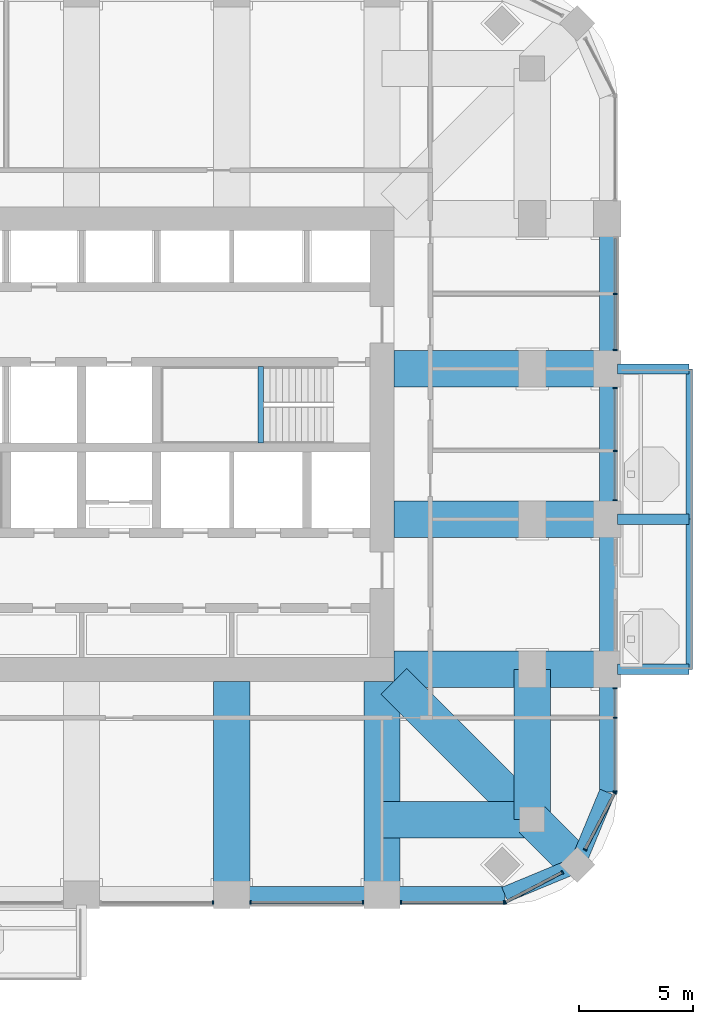
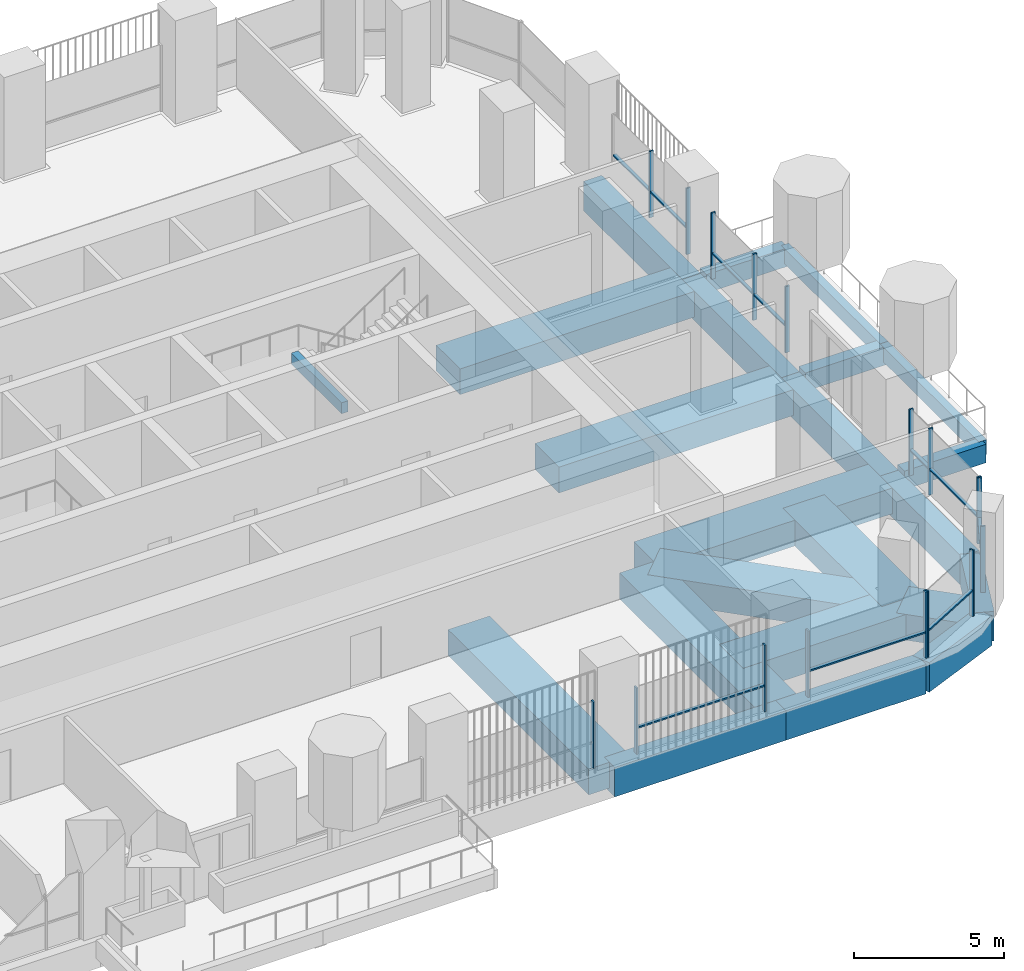
# One storey, part 5 of 20: 27 members, 23 beams, 8 elements without a shape of their own.
"""IFC4 building model written with IfcOpenShell, lengths in metres."""

from ifc_helpers import new_model, si_unit, direction, frame, origin, origin_2d, place, context, subcontext, project, spatial, rectangle, extrude, material, material_profile, profile_set, type_object, element, aggregate, save


model = new_model("IFC4")

# Units and contexts
model_context = context("Model", 3, precision=1e-05, world=origin(), true_north=direction((0.0, 1.0)))
body_context = subcontext(model_context, "Body", "Model", "MODEL_VIEW")
ifc_project = project(units=[si_unit("LENGTHUNIT", "METRE"), si_unit("AREAUNIT", "SQUARE_METRE"), si_unit("VOLUMEUNIT", "CUBIC_METRE"), si_unit("PLANEANGLEUNIT", "RADIAN"), si_unit("MASSUNIT", "GRAM", prefix="KILO")], contexts=[model_context])

# Site, building, storey
site_placement = place(None, origin())
site = spatial("IfcSite", under=ifc_project, at=site_placement, CompositionType="ELEMENT")
building_placement = place(site_placement, origin())
building = spatial("IfcBuilding", under=site, at=building_placement, Name="Cobogo Forest Laboratory Tower", CompositionType="ELEMENT")
storey_placement = place(building_placement, frame((0.0, 0.0, 201.89990234375)))
storey = spatial("IfcBuildingStorey", under=building, at=storey_placement, Name="L46", CompositionType="ELEMENT", Elevation=201.89990234375)

# Beams
ifc_material_1 = material(Name="Concrete HA-40 (C40/50)", Category="concrete")
ifc_material_profile_1 = material_profile(ifc_material_1, rectangle(XDim=0.449951171875, YDim=0.75, at=origin_2d()), Name="RC 450x750")
ifc_profile_set_1 = profile_set([ifc_material_profile_1], Name="Concrete HA-40 (C40/50)")
beam_type_1 = type_object("IfcBeamType", Name="Balcony cantilever beam 450x750", PredefinedType="BEAM", material=ifc_profile_set_1)
for number, where, z_axis, x_axis, name in (
    (1, (49.949951171875, 13.199951171875, -0.625), (1.0, 0.0, 0.0), (0.0, 1.0, 0.0), "CB1 BAL-E1-C1 L46"),
    (2, (49.949951171875, 19.800048828125, -0.625), (1.0, 0.0, 0.0), (0.0, 1.0, 0.0), "CB1 BAL-E1-C2 L46"),
    (3, (49.949951171875, 26.39990234375, -0.625), (1.0, 0.0, 0.0), (0.0, 1.0, 0.0), "CB1 BAL-E1-C3 L46"),
):
    element("IfcBeam", number, at=place(storey_placement, frame(where, z_axis=z_axis, x_axis=x_axis)), inside=storey, type_object=beam_type_1, Name=name, PredefinedType="BEAM", context=body_context, shape_type="SweptSolid", body=[
        extrude(rectangle(XDim=0.449951171875, YDim=0.75, at=origin_2d()), origin(), (0.0, 0.0, 1.0), 3.150146484375),
    ])
ifc_material_profile_2 = material_profile(ifc_material_1, rectangle(XDim=0.300048828125, YDim=0.60009765625, at=origin_2d()), Name="RC 300x600")
ifc_profile_set_2 = profile_set([ifc_material_profile_2], Name="Concrete HA-40 (C40/50)")
beam_type_2 = type_object("IfcBeamType", Name="Balcony edge beam 300x600", PredefinedType="BEAM", material=ifc_profile_set_2)
beam_1_placement = place(storey_placement, frame((53.10009765625, 13.199951171875, -0.5498046875), z_axis=(0.0, 1.0, 0.0), x_axis=(-1.0, 0.0, 0.0)))
element("IfcBeam", 4, at=beam_1_placement, inside=storey, type_object=beam_type_2, Name="BB1 BAL-E1-T1 L46", PredefinedType="BEAM", context=body_context, shape_type="SweptSolid", body=[
    extrude(rectangle(XDim=0.300048828125, YDim=0.60009765625, at=origin_2d()), origin(), (0.0, 0.0, 1.0), 6.60009765625),
])
beam_2_placement = place(storey_placement, frame((53.10009765625, 19.800048828125, -0.5498046875), z_axis=(0.0, 1.0, 0.0), x_axis=(-1.0, 0.0, 0.0)))
element("IfcBeam", 5, at=beam_2_placement, inside=storey, type_object=beam_type_2, Name="BB1 BAL-E1-T2 L46", PredefinedType="BEAM", context=body_context, shape_type="SweptSolid", body=[
    extrude(rectangle(XDim=0.300048828125, YDim=0.60009765625, at=origin_2d()), origin(), (0.0, 0.0, 1.0), 6.599853515625),
])
ifc_material_profile_3 = material_profile(ifc_material_1, rectangle(XDim=0.25, YDim=0.449951171875, at=origin_2d()), Name="RC 250x450")
ifc_profile_set_3 = profile_set([ifc_material_profile_3], Name="Concrete HA-40 (C40/50)")
beam_type_3 = type_object("IfcBeamType", Name="LB1 landing beam 250x450", PredefinedType="BEAM", material=ifc_profile_set_3)
beam_3_placement = place(storey_placement, frame((34.27001953125, 23.14990234375, 1.675048828125), z_axis=(0.0, 1.0, 0.0), x_axis=(-1.0, 0.0, 0.0)))
element("IfcBeam", 6, at=beam_3_placement, inside=storey, type_object=beam_type_3, Name="Landing beam ST2 L46", PredefinedType="BEAM", context=body_context, shape_type="SweptSolid", body=[
    extrude(rectangle(XDim=0.25, YDim=0.449951171875, at=origin_2d()), origin(), (0.0, 0.0, 1.0), 3.35009765625),
])
ifc_material_2 = material(Name="Concrete HA-50 (C50/60)", Category="concrete")
ifc_material_profile_4 = material_profile(ifc_material_2, rectangle(XDim=1.60009765625, YDim=1.050048828125, at=origin_2d()), Name="RC 1600x1050")
ifc_profile_set_4 = profile_set([ifc_material_profile_4], Name="Concrete HA-50 (C50/60)")
beam_type_4 = type_object("IfcBeamType", Name="Laboratory floor wide beam 1600x1050", PredefinedType="BEAM", material=ifc_profile_set_4)
for number, where, z_axis, x_axis, name in (
    (7, (33.0, 12.675048828125, -0.824951171875), (0.0, -1.0, 0.0), (1.0, 0.0, 0.0), "RB8 R-6-S L46"),
    (8, (39.60009765625, 12.675048828125, -0.824951171875), (0.0, -1.0, 0.0), (1.0, 0.0, 0.0), "RB8 R-7-S L46"),
    (9, (40.125, 13.199951171875, -0.824951171875), (1.0, 0.0, 0.0), (0.0, 1.0, 0.0), "RB8 R-C-E L46"),
    (10, (40.125, 19.800048828125, -0.824951171875), (1.0, 0.0, 0.0), (0.0, 1.0, 0.0), "RB8 R-D-E L46"),
    (11, (40.125, 26.39990234375, -0.824951171875), (1.0, 0.0, 0.0), (0.0, 1.0, 0.0), "RB8 R-E-E L46"),
):
    element("IfcBeam", number, at=place(storey_placement, frame(where, z_axis=z_axis, x_axis=x_axis)), inside=storey, type_object=beam_type_4, Name=name, PredefinedType="BEAM", context=body_context, shape_type="SweptSolid", body=[
        extrude(rectangle(XDim=1.60009765625, YDim=1.050048828125, at=origin_2d()), origin(), (0.0, 0.0, 1.0), 9.375),
    ])
for number, where, z_axis, x_axis, name in (
    (12, (46.199951171875, 6.60009765625, -0.824951171875), (0.0, 1.0, 0.0), (-1.0, 0.0, 0.0), "RB8 G-SE-XC L46"),
    (13, (46.199951171875, 6.60009765625, -0.824951171875), (-1.0, 0.0, 0.0), (0.0, -1.0, 0.0), "RB8 G-SE-YC L46"),
):
    element("IfcBeam", number, at=place(storey_placement, frame(where, z_axis=z_axis, x_axis=x_axis)), inside=storey, type_object=beam_type_4, Name=name, PredefinedType="BEAM", context=body_context, shape_type="SweptSolid", body=[
        extrude(rectangle(XDim=1.60009765625, YDim=1.050048828125, at=origin_2d()), origin(), (0.0, 0.0, 1.0), 6.599853515625),
    ])
beam_4_placement = place(storey_placement, frame((48.181884765625, 4.617919921875, -0.824951171875), z_axis=(-0.707063230743, 0.707150328948, 0.0), x_axis=(-0.707150328948, -0.707063230743, 0.0)))
element("IfcBeam", 14, at=beam_4_placement, inside=storey, type_object=beam_type_4, Name="RB8 G-SE-D1 L46", PredefinedType="BEAM", context=body_context, shape_type="SweptSolid", body=[
    extrude(rectangle(XDim=1.60009765625, YDim=1.050048828125, at=origin_2d()), origin(), (0.0, 0.0, 1.0), 2.802978515625),
])
beam_5_placement = place(storey_placement, frame((46.199951171875, 6.60009765625, -0.824951171875), z_axis=(-0.707106781187, 0.707106781187, 0.0), x_axis=(-0.707106781187, -0.707106781187, 0.0)))
element("IfcBeam", 15, at=beam_5_placement, inside=storey, type_object=beam_type_4, Name="RB8 G-SE-D2 L46", PredefinedType="BEAM", context=body_context, shape_type="SweptSolid", body=[
    extrude(rectangle(XDim=1.60009765625, YDim=1.050048828125, at=origin_2d()), origin(), (0.0, 0.0, 1.0), 8.59130859375),
])

# Curtain wall, member
ifc_material_3 = material(Name="Aluminium curtain wall", Category="aluminium")
curtain_wall_type = type_object("IfcCurtainWallType", Name="CW-2 unitised curtain wall, solar control glazing, laboratory floors zones C and D", PredefinedType="USERDEFINED", material=ifc_material_3)
curtain_wall_1_placement = place(storey_placement, origin())
curtain_wall_1 = element("IfcCurtainWall", 16, at=curtain_wall_1_placement, inside=storey, type_object=curtain_wall_type, Name="Curtain wall 04 L46", ObjectType="UNITISED CURTAIN WALL", PredefinedType="USERDEFINED")
ifc_material_4 = material(Name="Aluminium mullion", Category="aluminium")
ifc_material_profile_5 = material_profile(ifc_material_4, rectangle(XDim=0.06005859375, YDim=0.159912109375, at=origin_2d()), Name="AL 60x160")
ifc_profile_set_5 = profile_set([ifc_material_profile_5], Name="Aluminium mullion")
member_type_1 = type_object("IfcMemberType", Name="MU-1 aluminium mullion 60x160", PredefinedType="MULLION", material=ifc_profile_set_5)
member_1_placement = place(storey_placement, frame((32.169921875, 2.949951171875, 0.0), z_axis=(0.0, 0.0, 1.0), x_axis=(1.0, 0.0, 0.0)))
member_1 = element("IfcMember", 17, at=member_1_placement, type_object=member_type_1, Name="CW-2 mullion 2", PredefinedType="MULLION", context=body_context, shape_type="SweptSolid", body=[
    extrude(rectangle(XDim=0.06005859375, YDim=0.159912109375, at=origin_2d()), origin(), (0.0, 0.0, 1.0), 2.7001953125),
])
aggregate(curtain_wall_1, [member_1])

# Curtain wall, members
curtain_wall_2_placement = place(storey_placement, origin())
curtain_wall_2 = element("IfcCurtainWall", 18, at=curtain_wall_2_placement, inside=storey, type_object=curtain_wall_type, Name="Curtain wall 05 L46", ObjectType="UNITISED CURTAIN WALL", PredefinedType="USERDEFINED")
member_2_placement = place(storey_placement, frame((33.830078125, 2.949951171875, 0.0), z_axis=(0.0, 0.0, 1.0), x_axis=(1.0, 0.0, 0.0)))
member_2 = element("IfcMember", 19, at=member_2_placement, type_object=member_type_1, Name="CW-2 mullion 1", PredefinedType="MULLION", context=body_context, shape_type="SweptSolid", body=[
    extrude(rectangle(XDim=0.06005859375, YDim=0.159912109375, at=origin_2d()), origin(), (0.0, 0.0, 1.0), 2.7001953125),
])
member_3_placement = place(storey_placement, frame((38.77001953125, 2.949951171875, 0.0), z_axis=(0.0, 0.0, 1.0), x_axis=(1.0, 0.0, 0.0)))
member_3 = element("IfcMember", 20, at=member_3_placement, type_object=member_type_1, Name="CW-2 mullion 2", PredefinedType="MULLION", context=body_context, shape_type="SweptSolid", body=[
    extrude(rectangle(XDim=0.06005859375, YDim=0.159912109375, at=origin_2d()), origin(), (0.0, 0.0, 1.0), 2.7001953125),
])

curtain_wall_3_placement = place(storey_placement, origin())
curtain_wall_3 = element("IfcCurtainWall", 21, at=curtain_wall_3_placement, inside=storey, type_object=curtain_wall_type, Name="Curtain wall 06 L46", ObjectType="UNITISED CURTAIN WALL", PredefinedType="USERDEFINED")
member_4_placement = place(storey_placement, frame((40.429931640625, 2.949951171875, 0.0), z_axis=(0.0, 0.0, 1.0), x_axis=(1.0, 0.0, 0.0)))
member_4 = element("IfcMember", 22, at=member_4_placement, type_object=member_type_1, Name="CW-2 mullion 1", PredefinedType="MULLION", context=body_context, shape_type="SweptSolid", body=[
    extrude(rectangle(XDim=0.06005859375, YDim=0.159912109375, at=origin_2d()), origin(), (0.0, 0.0, 1.0), 2.7001953125),
])
member_5_placement = place(storey_placement, frame((44.969970703125, 2.949951171875, 0.0), z_axis=(0.0, 0.0, 1.0), x_axis=(1.0, 0.0, 0.0)))
member_5 = element("IfcMember", 23, at=member_5_placement, type_object=member_type_1, Name="CW-2 mullion 2", PredefinedType="MULLION", context=body_context, shape_type="SweptSolid", body=[
    extrude(rectangle(XDim=0.06005859375, YDim=0.159912109375, at=origin_2d()), origin(), (0.0, 0.0, 1.0), 2.7001953125),
])

curtain_wall_4_placement = place(storey_placement, origin())
curtain_wall_4 = element("IfcCurtainWall", 24, at=curtain_wall_4_placement, inside=storey, type_object=curtain_wall_type, Name="Curtain wall 07 L46", ObjectType="UNITISED CURTAIN WALL", PredefinedType="USERDEFINED")
member_6_placement = place(storey_placement, frame((45.026611328125, 2.9638671875, 0.0), z_axis=(0.0, 0.0, 1.0), x_axis=(0.885686484356, 0.464283804832, 0.0)))
member_6 = element("IfcMember", 25, at=member_6_placement, type_object=member_type_1, Name="CW-2 mullion 1", PredefinedType="MULLION", context=body_context, shape_type="SweptSolid", body=[
    extrude(rectangle(XDim=0.06005859375, YDim=0.159912109375, at=origin_2d()), origin(), (0.0, 0.0, 1.0), 2.7001953125),
])
member_7_placement = place(storey_placement, frame((47.5244140625, 4.2734375, 0.0), z_axis=(0.0, 0.0, 1.0), x_axis=(0.885686484356, 0.464283804832, 0.0)))
member_7 = element("IfcMember", 26, at=member_7_placement, type_object=member_type_1, Name="CW-2 mullion 2", PredefinedType="MULLION", context=body_context, shape_type="SweptSolid", body=[
    extrude(rectangle(XDim=0.06005859375, YDim=0.159912109375, at=origin_2d()), origin(), (0.0, 0.0, 1.0), 2.7001953125),
])

curtain_wall_5_placement = place(storey_placement, origin())
curtain_wall_5 = element("IfcCurtainWall", 27, at=curtain_wall_5_placement, inside=storey, type_object=curtain_wall_type, Name="Curtain wall 08 L46", ObjectType="UNITISED CURTAIN WALL", PredefinedType="USERDEFINED")
member_8_placement = place(storey_placement, frame((48.526611328125, 5.275634765625, 0.0), z_axis=(0.0, 0.0, 1.0), x_axis=(0.464283804832, 0.885686484356, 0.0)))
member_8 = element("IfcMember", 28, at=member_8_placement, type_object=member_type_1, Name="CW-2 mullion 1", PredefinedType="MULLION", context=body_context, shape_type="SweptSolid", body=[
    extrude(rectangle(XDim=0.06005859375, YDim=0.159912109375, at=origin_2d()), origin(), (0.0, 0.0, 1.0), 2.7001953125),
])
member_9_placement = place(storey_placement, frame((49.836181640625, 7.7734375, 0.0), z_axis=(0.0, 0.0, 1.0), x_axis=(0.464283804832, 0.885686484356, 0.0)))
member_9 = element("IfcMember", 29, at=member_9_placement, type_object=member_type_1, Name="CW-2 mullion 2", PredefinedType="MULLION", context=body_context, shape_type="SweptSolid", body=[
    extrude(rectangle(XDim=0.06005859375, YDim=0.159912109375, at=origin_2d()), origin(), (0.0, 0.0, 1.0), 2.7001953125),
])

curtain_wall_6_placement = place(storey_placement, origin())
curtain_wall_6 = element("IfcCurtainWall", 30, at=curtain_wall_6_placement, inside=storey, type_object=curtain_wall_type, Name="Curtain wall 09 L46", ObjectType="UNITISED CURTAIN WALL", PredefinedType="USERDEFINED")
member_10_placement = place(storey_placement, frame((49.85009765625, 7.830078125, 0.0), z_axis=(0.0, 0.0, 1.0), x_axis=(0.0, 1.0, 0.0)))
member_10 = element("IfcMember", 31, at=member_10_placement, type_object=member_type_1, Name="CW-2 mullion 1", PredefinedType="MULLION", context=body_context, shape_type="SweptSolid", body=[
    extrude(rectangle(XDim=0.06005859375, YDim=0.159912109375, at=origin_2d()), origin(), (0.0, 0.0, 1.0), 2.7001953125),
])
member_11_placement = place(storey_placement, frame((49.85009765625, 11.074951171875, 0.0), z_axis=(0.0, 0.0, 1.0), x_axis=(0.0, 1.0, 0.0)))
member_11 = element("IfcMember", 32, at=member_11_placement, type_object=member_type_1, Name="CW-2 mullion 2", PredefinedType="MULLION", context=body_context, shape_type="SweptSolid", body=[
    extrude(rectangle(XDim=0.06005859375, YDim=0.159912109375, at=origin_2d()), origin(), (0.0, 0.0, 1.0), 2.7001953125),
])
member_12_placement = place(storey_placement, frame((49.85009765625, 12.3701171875, 0.0), z_axis=(0.0, 0.0, 1.0), x_axis=(0.0, 1.0, 0.0)))
member_12 = element("IfcMember", 33, at=member_12_placement, type_object=member_type_1, Name="CW-2 mullion 3", PredefinedType="MULLION", context=body_context, shape_type="SweptSolid", body=[
    extrude(rectangle(XDim=0.06005859375, YDim=0.159912109375, at=origin_2d()), origin(), (0.0, 0.0, 1.0), 2.7001953125),
])

curtain_wall_7_placement = place(storey_placement, origin())
curtain_wall_7 = element("IfcCurtainWall", 34, at=curtain_wall_7_placement, inside=storey, type_object=curtain_wall_type, Name="Curtain wall 11 L46", ObjectType="UNITISED CURTAIN WALL", PredefinedType="USERDEFINED")
member_13_placement = place(storey_placement, frame((49.85009765625, 20.6298828125, 0.0), z_axis=(0.0, 0.0, 1.0), x_axis=(0.0, 1.0, 0.0)))
member_13 = element("IfcMember", 35, at=member_13_placement, type_object=member_type_1, Name="CW-2 mullion 1", PredefinedType="MULLION", context=body_context, shape_type="SweptSolid", body=[
    extrude(rectangle(XDim=0.06005859375, YDim=0.159912109375, at=origin_2d()), origin(), (0.0, 0.0, 1.0), 2.7001953125),
])
member_14_placement = place(storey_placement, frame((49.85009765625, 22.800048828125, 0.0), z_axis=(0.0, 0.0, 1.0), x_axis=(0.0, 1.0, 0.0)))
member_14 = element("IfcMember", 36, at=member_14_placement, type_object=member_type_1, Name="CW-2 mullion 2", PredefinedType="MULLION", context=body_context, shape_type="SweptSolid", body=[
    extrude(rectangle(XDim=0.06005859375, YDim=0.159912109375, at=origin_2d()), origin(), (0.0, 0.0, 1.0), 2.7001953125),
])
member_15_placement = place(storey_placement, frame((49.85009765625, 25.570068359375, 0.0), z_axis=(0.0, 0.0, 1.0), x_axis=(0.0, 1.0, 0.0)))
member_15 = element("IfcMember", 37, at=member_15_placement, type_object=member_type_1, Name="CW-2 mullion 3", PredefinedType="MULLION", context=body_context, shape_type="SweptSolid", body=[
    extrude(rectangle(XDim=0.06005859375, YDim=0.159912109375, at=origin_2d()), origin(), (0.0, 0.0, 1.0), 2.7001953125),
])

curtain_wall_8_placement = place(storey_placement, origin())
curtain_wall_8 = element("IfcCurtainWall", 38, at=curtain_wall_8_placement, inside=storey, type_object=curtain_wall_type, Name="Curtain wall 12 L46", ObjectType="UNITISED CURTAIN WALL", PredefinedType="USERDEFINED")
member_16_placement = place(storey_placement, frame((49.85009765625, 27.22998046875, 0.0), z_axis=(0.0, 0.0, 1.0), x_axis=(0.0, 1.0, 0.0)))
member_16 = element("IfcMember", 39, at=member_16_placement, type_object=member_type_1, Name="CW-2 mullion 1", PredefinedType="MULLION", context=body_context, shape_type="SweptSolid", body=[
    extrude(rectangle(XDim=0.06005859375, YDim=0.159912109375, at=origin_2d()), origin(), (0.0, 0.0, 1.0), 2.7001953125),
])
member_17_placement = place(storey_placement, frame((49.85009765625, 29.699951171875, 0.0), z_axis=(0.0, 0.0, 1.0), x_axis=(0.0, 1.0, 0.0)))
member_17 = element("IfcMember", 40, at=member_17_placement, type_object=member_type_1, Name="CW-2 mullion 2", PredefinedType="MULLION", context=body_context, shape_type="SweptSolid", body=[
    extrude(rectangle(XDim=0.06005859375, YDim=0.159912109375, at=origin_2d()), origin(), (0.0, 0.0, 1.0), 2.7001953125),
])

# Beams
ifc_material_profile_6 = material_profile(ifc_material_1, rectangle(XDim=0.699951171875, YDim=1.199951171875, at=origin_2d()), Name="RC 700x1200")
ifc_profile_set_6 = profile_set([ifc_material_profile_6], Name="Concrete HA-40 (C40/50)")
beam_type_5 = type_object("IfcBeamType", Name="Perimeter edge beam 700x1200", PredefinedType="BEAM", material=ifc_profile_set_6)
for number, where, z_axis, x_axis, name in (
    (41, (33.0, 3.300048828125, -0.89990234375), (1.0, 0.0, 0.0), (0.0, 1.0, 0.0), "EB1 E-S4 L46"),
    (42, (49.5, 13.199951171875, -0.89990234375), (0.0, 1.0, 0.0), (-1.0, 0.0, 0.0), "EB1 E-E1 L46"),
):
    element("IfcBeam", number, at=place(storey_placement, frame(where, z_axis=z_axis, x_axis=x_axis)), inside=storey, type_object=beam_type_5, Name=name, PredefinedType="BEAM", context=body_context, shape_type="SweptSolid", body=[
        extrude(rectangle(XDim=0.699951171875, YDim=1.199951171875, at=origin_2d()), origin(), (0.0, 0.0, 1.0), 6.60009765625),
    ])
beam_6_placement = place(storey_placement, frame((49.5, 19.800048828125, -0.89990234375), z_axis=(0.0, 1.0, 0.0), x_axis=(-1.0, 0.0, 0.0)))
element("IfcBeam", 43, at=beam_6_placement, inside=storey, type_object=beam_type_5, Name="EB1 E-E2 L46", PredefinedType="BEAM", context=body_context, shape_type="SweptSolid", body=[
    extrude(rectangle(XDim=0.699951171875, YDim=1.199951171875, at=origin_2d()), origin(), (0.0, 0.0, 1.0), 6.599853515625),
])
beam_7_placement = place(storey_placement, frame((49.5, 26.39990234375, -0.89990234375), z_axis=(0.0, 1.0, 0.0), x_axis=(-1.0, 0.0, 0.0)))
element("IfcBeam", 44, at=beam_7_placement, inside=storey, type_object=beam_type_5, Name="EB1 E-E3 L46", PredefinedType="BEAM", context=body_context, shape_type="SweptSolid", body=[
    extrude(rectangle(XDim=0.699951171875, YDim=1.199951171875, at=origin_2d()), origin(), (0.0, 0.0, 1.0), 6.60009765625),
])
beam_8_placement = place(storey_placement, frame((39.60009765625, 3.300048828125, -0.89990234375), z_axis=(1.0, 0.0, 0.0), x_axis=(0.0, 1.0, 0.0)))
element("IfcBeam", 45, at=beam_8_placement, inside=storey, type_object=beam_type_5, Name="EB1 E-SES1 L46", PredefinedType="BEAM", context=body_context, shape_type="SweptSolid", body=[
    extrude(rectangle(XDim=0.699951171875, YDim=1.199951171875, at=origin_2d()), origin(), (0.0, 0.0, 1.0), 5.39990234375),
])
beam_9_placement = place(storey_placement, frame((45.0, 3.300048828125, -0.89990234375), z_axis=(0.923890694089, 0.382656484822, 0.0), x_axis=(-0.382656484822, 0.923890694089, 0.0)))
element("IfcBeam", 46, at=beam_9_placement, inside=storey, type_object=beam_type_5, Name="EB1 E-SES2 L46", PredefinedType="BEAM", context=body_context, shape_type="SweptSolid", body=[
    extrude(rectangle(XDim=0.699951171875, YDim=1.199951171875, at=origin_2d()), origin(), (0.0, 0.0, 1.0), 3.444091796875),
])
beam_10_placement = place(storey_placement, frame((49.5, 13.199951171875, -0.89990234375), z_axis=(0.0, -1.0, 0.0), x_axis=(1.0, 0.0, 0.0)))
element("IfcBeam", 47, at=beam_10_placement, inside=storey, type_object=beam_type_5, Name="EB1 E-SEE1 L46", PredefinedType="BEAM", context=body_context, shape_type="SweptSolid", body=[
    extrude(rectangle(XDim=0.699951171875, YDim=1.199951171875, at=origin_2d()), origin(), (0.0, 0.0, 1.0), 5.39990234375),
])
beam_11_placement = place(storey_placement, frame((49.5, 7.800048828125, -0.89990234375), z_axis=(-0.382691928466, -0.923876013265, 0.0), x_axis=(0.923876013265, -0.382691928466, 0.0)))
element("IfcBeam", 48, at=beam_11_placement, inside=storey, type_object=beam_type_5, Name="EB1 E-SEE2 L46", PredefinedType="BEAM", context=body_context, shape_type="SweptSolid", body=[
    extrude(rectangle(XDim=0.699951171875, YDim=1.199951171875, at=origin_2d()), origin(), (0.0, 0.0, 1.0), 3.4443359375),
])

# Member
ifc_material_5 = material(Name="Aluminium transom", Category="aluminium")
ifc_material_profile_7 = material_profile(ifc_material_5, rectangle(XDim=0.1201171875, YDim=0.06005859375, at=origin_2d()), Name="AL 60x120")
ifc_profile_set_7 = profile_set([ifc_material_profile_7], Name="Aluminium transom")
member_type_2 = type_object("IfcMemberType", Name="TR-1 aluminium transom 60x120", PredefinedType="USERDEFINED", material=ifc_profile_set_7)
member_18_placement = place(storey_placement, frame((33.860107421875, 2.949951171875, 1.050048828125), z_axis=(1.0, 0.0, 0.0), x_axis=(0.0, 1.0, 0.0)))
member_18 = element("IfcMember", 49, at=member_18_placement, type_object=member_type_2, Name="CW-2 transom 1.1", ObjectType="TRANSOM", PredefinedType="USERDEFINED", context=body_context, shape_type="SweptSolid", body=[
    extrude(rectangle(XDim=0.1201171875, YDim=0.06005859375, at=origin_2d()), origin(), (0.0, 0.0, 1.0), 4.8798828125),
])

aggregate(curtain_wall_2, [member_2, member_3, member_18])

member_19_placement = place(storey_placement, frame((40.4599609375, 2.949951171875, 1.050048828125), z_axis=(1.0, 0.0, 0.0), x_axis=(0.0, 1.0, 0.0)))
member_19 = element("IfcMember", 50, at=member_19_placement, type_object=member_type_2, Name="CW-2 transom 1.1", ObjectType="TRANSOM", PredefinedType="USERDEFINED", context=body_context, shape_type="SweptSolid", body=[
    extrude(rectangle(XDim=0.1201171875, YDim=0.06005859375, at=origin_2d()), origin(), (0.0, 0.0, 1.0), 4.47998046875),
])

aggregate(curtain_wall_3, [member_4, member_5, member_19])

member_20_placement = place(storey_placement, frame((45.05322265625, 2.977783203125, 1.050048828125), z_axis=(0.885646224078, 0.464360598863, 0.0), x_axis=(-0.464360598863, 0.885646224078, 0.0)))
member_20 = element("IfcMember", 51, at=member_20_placement, type_object=member_type_2, Name="CW-2 transom 1.1", ObjectType="TRANSOM", PredefinedType="USERDEFINED", context=body_context, shape_type="SweptSolid", body=[
    extrude(rectangle(XDim=0.1201171875, YDim=0.06005859375, at=origin_2d()), origin(), (0.0, 0.0, 1.0), 2.76025390625),
])

aggregate(curtain_wall_4, [member_6, member_7, member_20])

member_21_placement = place(storey_placement, frame((48.54052734375, 5.302001953125, 1.050048828125), z_axis=(0.464254846591, 0.88570166389, 0.0), x_axis=(-0.88570166389, 0.464254846591, 0.0)))
member_21 = element("IfcMember", 52, at=member_21_placement, type_object=member_type_2, Name="CW-2 transom 1.1", ObjectType="TRANSOM", PredefinedType="USERDEFINED", context=body_context, shape_type="SweptSolid", body=[
    extrude(rectangle(XDim=0.1201171875, YDim=0.06005859375, at=origin_2d()), origin(), (0.0, 0.0, 1.0), 2.76025390625),
])

aggregate(curtain_wall_5, [member_8, member_9, member_21])

member_22_placement = place(storey_placement, frame((49.85009765625, 7.860107421875, 1.050048828125), z_axis=(0.0, 1.0, 0.0), x_axis=(-1.0, 0.0, 0.0)))
member_22 = element("IfcMember", 53, at=member_22_placement, type_object=member_type_2, Name="CW-2 transom 1.1", ObjectType="TRANSOM", PredefinedType="USERDEFINED", context=body_context, shape_type="SweptSolid", body=[
    extrude(rectangle(XDim=0.1201171875, YDim=0.06005859375, at=origin_2d()), origin(), (0.0, 0.0, 1.0), 3.184814453125),
])

member_23_placement = place(storey_placement, frame((49.85009765625, 11.10498046875, 1.050048828125), z_axis=(0.0, 1.0, 0.0), x_axis=(-1.0, 0.0, 0.0)))
member_23 = element("IfcMember", 54, at=member_23_placement, type_object=member_type_2, Name="CW-2 transom 2.1", ObjectType="TRANSOM", PredefinedType="USERDEFINED", context=body_context, shape_type="SweptSolid", body=[
    extrude(rectangle(XDim=0.1201171875, YDim=0.06005859375, at=origin_2d()), origin(), (0.0, 0.0, 1.0), 1.235107421875),
])

aggregate(curtain_wall_6, [member_10, member_11, member_12, member_22, member_23])

member_24_placement = place(storey_placement, frame((49.85009765625, 20.659912109375, 1.050048828125), z_axis=(0.0, 1.0, 0.0), x_axis=(-1.0, 0.0, 0.0)))
member_24 = element("IfcMember", 55, at=member_24_placement, type_object=member_type_2, Name="CW-2 transom 1.1", ObjectType="TRANSOM", PredefinedType="USERDEFINED", context=body_context, shape_type="SweptSolid", body=[
    extrude(rectangle(XDim=0.1201171875, YDim=0.06005859375, at=origin_2d()), origin(), (0.0, 0.0, 1.0), 2.110107421875),
])

member_25_placement = place(storey_placement, frame((49.85009765625, 22.830078125, 1.050048828125), z_axis=(0.0, 1.0, 0.0), x_axis=(-1.0, 0.0, 0.0)))
member_25 = element("IfcMember", 56, at=member_25_placement, type_object=member_type_2, Name="CW-2 transom 2.1", ObjectType="TRANSOM", PredefinedType="USERDEFINED", context=body_context, shape_type="SweptSolid", body=[
    extrude(rectangle(XDim=0.1201171875, YDim=0.06005859375, at=origin_2d()), origin(), (0.0, 0.0, 1.0), 2.7099609375),
])

aggregate(curtain_wall_7, [member_13, member_14, member_15, member_24, member_25])

member_26_placement = place(storey_placement, frame((49.85009765625, 27.260009765625, 1.050048828125), z_axis=(0.0, 1.0, 0.0), x_axis=(-1.0, 0.0, 0.0)))
member_26 = element("IfcMember", 57, at=member_26_placement, type_object=member_type_2, Name="CW-2 transom 1.1", ObjectType="TRANSOM", PredefinedType="USERDEFINED", context=body_context, shape_type="SweptSolid", body=[
    extrude(rectangle(XDim=0.1201171875, YDim=0.06005859375, at=origin_2d()), origin(), (0.0, 0.0, 1.0), 2.409912109375),
])

member_27_placement = place(storey_placement, frame((49.85009765625, 29.72998046875, 1.050048828125), z_axis=(0.0, 1.0, 0.0), x_axis=(-1.0, 0.0, 0.0)))
member_27 = element("IfcMember", 58, at=member_27_placement, type_object=member_type_2, Name="CW-2 transom 2.1", ObjectType="TRANSOM", PredefinedType="USERDEFINED", context=body_context, shape_type="SweptSolid", body=[
    extrude(rectangle(XDim=0.1201171875, YDim=0.06005859375, at=origin_2d()), origin(), (0.0, 0.0, 1.0), 2.409912109375),
])

aggregate(curtain_wall_8, [member_16, member_17, member_26, member_27])

save(model, "model.ifc")
